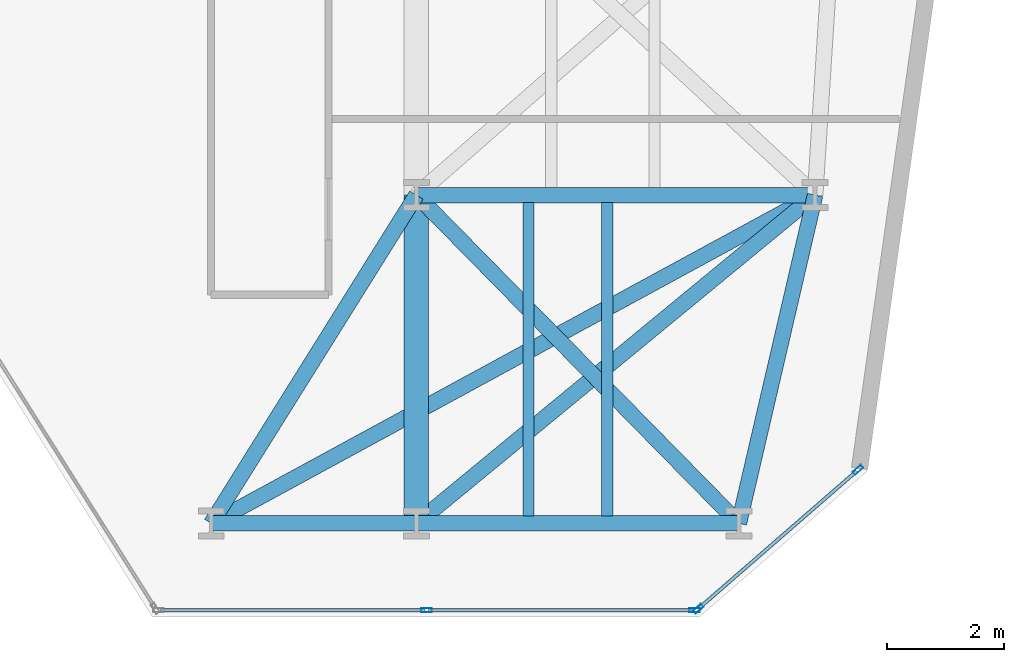
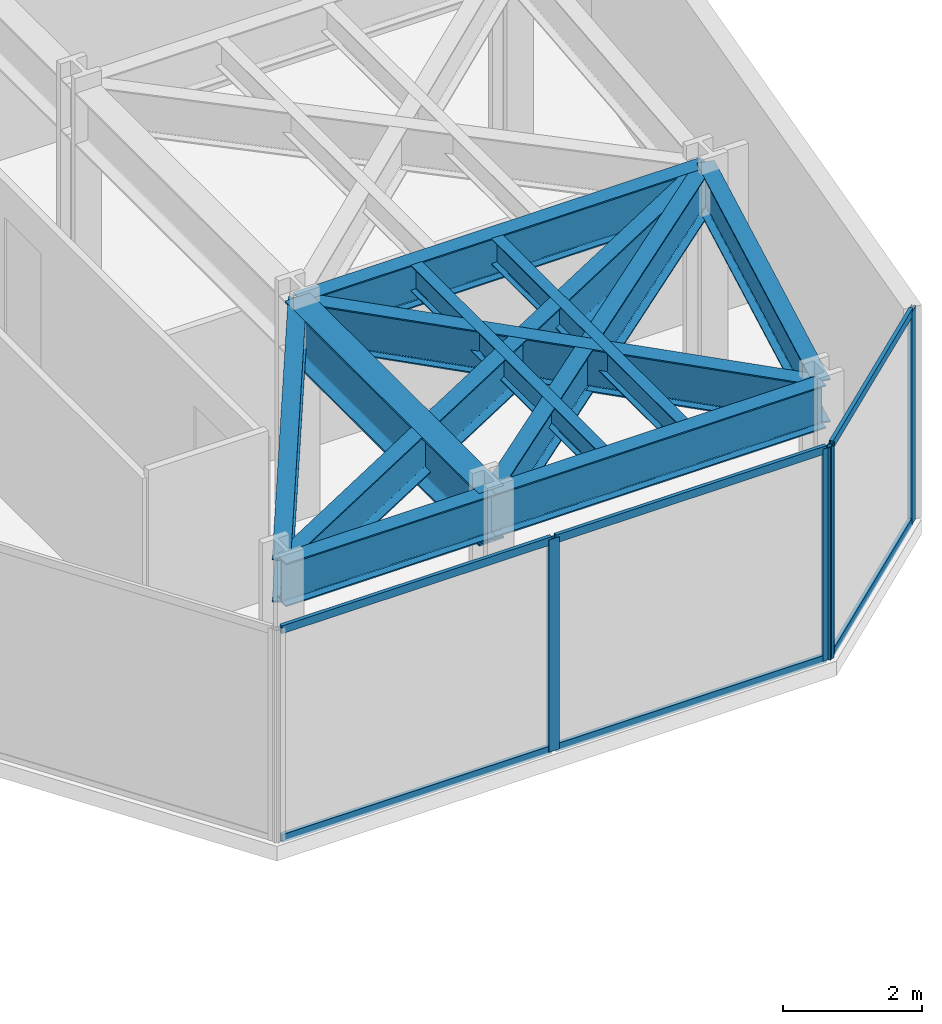
# One storey, part 13 of 24: 11 beams, 10 members, 2 elements without a shape of their own.
"""IFC4 building model written with IfcOpenShell, lengths in metres."""

import ifcopenshell
import ifcopenshell.guid

model = None  # the IFC model being written
_history = None  # IfcOwnerHistory: only IFC2X3 demands one
_inside = {}  # id of a spatial element -> (the spatial element, [elements in it])
_under = {}  # id of a project, library or spatial element -> (it, [spatial elements below it])
_declared = {}  # id of a project -> (the project, [libraries it declares])
_typed = {}  # id of a type object -> (the type object, [elements of that type])
_made_of = {}  # id of a material, layer set ... -> (it, [elements and type objects made of it])


def new_model(schema):
    """Start an empty IFC model of exactly this schema.

    Asked for "IFC4X3", IfcOpenShell would pick the latest addendum, in which some entities
    have other attributes; the version numbers below select the first issue.
    IFC2X3 requires an IfcOwnerHistory on every rooted entity: one is made here for all.
    """
    global model, _history
    if schema == "IFC4X3":
        model = ifcopenshell.file(schema_version=(4, 3, 0, 0))
    else:
        model = ifcopenshell.file(schema=schema)
    _inside.clear()
    _under.clear()
    _declared.clear()
    _typed.clear()
    _made_of.clear()
    _history = None
    if model.schema == "IFC2X3":
        org = make("IfcOrganization", Name="unknown")
        user = make(
            "IfcPersonAndOrganization",
            ThePerson=make("IfcPerson", FamilyName="unknown"),
            TheOrganization=org,
        )
        app = make(
            "IfcApplication",
            ApplicationDeveloper=org,
            Version="unknown",
            ApplicationFullName="unknown",
            ApplicationIdentifier="unknown",
        )
        _history = make(
            "IfcOwnerHistory",
            OwningUser=user,
            OwningApplication=app,
            ChangeAction="ADDED",
            CreationDate=0,
        )
    return model


def make(cls, **values):
    """One entity of the class cls with the attributes given. An attribute that is None is left unset."""
    return model.create_entity(
        cls, **{name: value for name, value in values.items() if value is not None}
    )


def rooted(cls, **values):
    """An entity with a GlobalId (a new one), such as an element, a storey or a relation."""
    return make(cls, GlobalId=ifcopenshell.guid.new(), OwnerHistory=_history, **values)


def si_unit(unit_type, name, prefix=None):
    """IfcSIUnit, for example si_unit("LENGTHUNIT", "METRE", prefix="MILLI")."""
    return make("IfcSIUnit", UnitType=unit_type, Prefix=prefix, Name=name)


def assignment(units):
    """IfcUnitAssignment: the units of a project."""
    return None if units is None else make("IfcUnitAssignment", Units=units)


def point(xyz):
    """IfcCartesianPoint."""
    return None if xyz is None else make("IfcCartesianPoint", Coordinates=xyz)


def direction(xyz):
    """IfcDirection."""
    return None if xyz is None else make("IfcDirection", DirectionRatios=xyz)


def frame(location, z_axis=None, x_axis=None):
    """IfcAxis2Placement3D, a coordinate frame: its origin and axes. An axis left out is left unset."""
    return make(
        "IfcAxis2Placement3D",
        Location=point(location),
        Axis=direction(z_axis),
        RefDirection=direction(x_axis),
    )


def frame_2d(location, x_axis=None):
    """IfcAxis2Placement2D, a coordinate frame in the plane: its origin and x axis."""
    return make(
        "IfcAxis2Placement2D", Location=point(location), RefDirection=direction(x_axis)
    )


def origin():
    """The frame at (0, 0, 0) with its axes left unset."""
    return frame((0.0, 0.0, 0.0))


def origin_2d():
    """The frame at (0, 0) in the plane with its x axis left unset."""
    return frame_2d((0.0, 0.0))


def place(relative_to, where):
    """IfcLocalPlacement: puts the frame where relative to a parent placement (None: the world)."""
    return make(
        "IfcLocalPlacement", PlacementRelTo=relative_to, RelativePlacement=where
    )


def context(
    kind, dimensions, precision=None, world=None, true_north=None, identifier=None
):
    """IfcGeometricRepresentationContext, for example the 3D "Model" context."""
    return make(
        "IfcGeometricRepresentationContext",
        ContextIdentifier=identifier,
        ContextType=kind,
        CoordinateSpaceDimension=dimensions,
        Precision=precision,
        WorldCoordinateSystem=world,
        TrueNorth=true_north,
    )


def subcontext(parent, identifier, kind, view, scale=None):
    """IfcGeometricRepresentationSubContext, for example "Body" below "Model"."""
    return make(
        "IfcGeometricRepresentationSubContext",
        ContextIdentifier=identifier,
        ContextType=kind,
        ParentContext=parent,
        TargetScale=scale,
        TargetView=view,
    )


def project(units=None, contexts=None):
    """IfcProject with its units and contexts."""
    return rooted(
        "IfcProject",
        Name="project",
        RepresentationContexts=contexts,
        UnitsInContext=assignment(units),
    )


def spatial(cls, under=None, at=None, **own):
    """A site, building, storey or space (cls), placed at a placement, below another one or the project."""
    s = rooted(cls, ObjectPlacement=at, **own)
    if under is not None:
        _under.setdefault(under.id(), (under, []))[1].append(s)
    return s


def profile(cls, at=None, kind="AREA", **sizes):
    """A parametric profile (cls). Its sizes go by their IFC names, for example OverallWidth=200.0."""
    return make(cls, ProfileType=kind, Position=at, **sizes)


def hollow_rectangle(**sizes):
    """IfcRectangleHollowProfileDef."""
    return profile("IfcRectangleHollowProfileDef", **sizes)


def i_section(**sizes):
    """IfcIShapeProfileDef."""
    return profile("IfcIShapeProfileDef", **sizes)


def extrude(swept, where, along, depth):
    """IfcExtrudedAreaSolid: the profile swept, set in the frame where, extruded along a direction by depth."""
    return make(
        "IfcExtrudedAreaSolid",
        SweptArea=swept,
        Position=where,
        ExtrudedDirection=direction(along),
        Depth=depth,
    )


def shape(context_of_items, identifier, shape_type, items):
    """IfcShapeRepresentation: the items that make up one representation, for example the "Body"."""
    return make(
        "IfcShapeRepresentation",
        ContextOfItems=context_of_items,
        RepresentationIdentifier=identifier,
        RepresentationType=shape_type,
        Items=items,
    )


def material(Name=None, Category=None):
    """IfcMaterial."""
    return make("IfcMaterial", Name=Name, Category=Category)


def layer(
    of_material, thickness, ventilated=None, Name=None, Category=None, Priority=None
):
    """IfcMaterialLayer: one layer of a wall or slab, of a material (None: an air gap)."""
    return make(
        "IfcMaterialLayer",
        Material=of_material,
        LayerThickness=thickness,
        IsVentilated=ventilated,
        Name=Name,
        Category=Category,
        Priority=Priority,
    )


def layer_set(layers, Name=None):
    """IfcMaterialLayerSet."""
    return make("IfcMaterialLayerSet", MaterialLayers=layers, LayerSetName=Name)


def material_profile(
    of_material, cross_section, Name=None, Category=None, Priority=None
):
    """IfcMaterialProfile: a cross section and its material."""
    return make(
        "IfcMaterialProfile",
        Name=Name,
        Material=of_material,
        Profile=cross_section,
        Priority=Priority,
        Category=Category,
    )


def profile_set(profiles, Name=None, composite=None):
    """IfcMaterialProfileSet."""
    return make(
        "IfcMaterialProfileSet",
        Name=Name,
        MaterialProfiles=profiles,
        CompositeProfile=composite,
    )


def made_of(thing, what):
    """Note that an element or type object is made of a material, layer set ...; save() writes the relation."""
    if what is not None:
        _made_of.setdefault(what.id(), (what, []))[1].append(thing)
    return thing


def type_object(cls, material=None, **own):
    """A type object (cls), such as IfcWallType, which elements share."""
    return made_of(rooted(cls, **own), material)


def element(
    cls,
    number,
    at=None,
    inside=None,
    cuts=None,
    type_object=None,
    material=None,
    context=None,
    identifier="Body",
    shape_type=None,
    held_by="IfcProductDefinitionShape",
    body=None,
    shapes=None,
    **own,
):
    """One element of the class cls, such as IfcWall. Its Tag is "e" and its number.

    at: its placement. inside: the storey or other place that contains it. cuts: it is an
    opening in that element (IfcRelVoidsElement). A single representation is given by context,
    identifier, shape_type and body (its items); several are given by shapes. held_by: the class
    of the entity that holds the representations. save() writes the other relations.
    """
    e = rooted(cls, Tag="e%d" % number, ObjectPlacement=at, **own)
    if body is not None:
        shapes = [shape(context, identifier, shape_type, body)]
    if shapes is not None:
        e.Representation = make(held_by, Representations=shapes)
    if inside is not None:
        _inside.setdefault(inside.id(), (inside, []))[1].append(e)
    if cuts is not None:
        rooted(
            "IfcRelVoidsElement", RelatingBuildingElement=cuts, RelatedOpeningElement=e
        )
    if type_object is not None:
        _typed.setdefault(type_object.id(), (type_object, []))[1].append(e)
    return made_of(e, material)


def aggregate(whole, parts):
    """IfcRelAggregates: a whole, such as a stair, and the parts it consists of."""
    return rooted("IfcRelAggregates", RelatingObject=whole, RelatedObjects=parts)


def save(model, path):
    """Write the relations noted so far, then the file.

    IfcRelAggregates (storeys below a building ...), IfcRelContainedInSpatialStructure (elements
    in a storey), IfcRelDefinesByType, IfcRelAssociatesMaterial and IfcRelDeclares: one each for
    every whole, place, type object, material and project.
    """
    for whole, parts in _under.values():
        aggregate(whole, parts)
    for where, things in _inside.values():
        rooted(
            "IfcRelContainedInSpatialStructure",
            RelatedElements=things,
            RelatingStructure=where,
        )
    for kind, things in _typed.values():
        rooted("IfcRelDefinesByType", RelatedObjects=things, RelatingType=kind)
    for what, things in _made_of.values():
        rooted("IfcRelAssociatesMaterial", RelatedObjects=things, RelatingMaterial=what)
    for by, libraries in _declared.values():
        rooted("IfcRelDeclares", RelatingContext=by, RelatedDefinitions=libraries)
    model.write(path)


model = new_model("IFC4")

# Units and contexts
model_context = context("Model", 3, precision=1e-05, world=origin(), true_north=direction((0.0, 1.0)))
body_context = subcontext(model_context, "Body", "Model", "MODEL_VIEW")
ifc_project = project(units=[si_unit("LENGTHUNIT", "METRE"), si_unit("AREAUNIT", "SQUARE_METRE"), si_unit("VOLUMEUNIT", "CUBIC_METRE"), si_unit("PLANEANGLEUNIT", "RADIAN"), si_unit("MASSUNIT", "GRAM", prefix="KILO")], contexts=[model_context])

# Site, building, storey
site_placement = place(None, origin())
site = spatial("IfcSite", under=ifc_project, at=site_placement, CompositionType="ELEMENT")
building_placement = place(site_placement, origin())
building = spatial("IfcBuilding", under=site, at=building_placement, Name="Kravanh Interchange Tower", CompositionType="ELEMENT")
storey_placement = place(building_placement, frame((0.0, 0.0, 53.5)))
storey = spatial("IfcBuildingStorey", under=building, at=storey_placement, Name="L12", CompositionType="ELEMENT", Elevation=53.5)

# Curtain wall, members
ifc_material_1 = material(Name="Anodised Bronze Aluminium", Category="aluminium")
ifc_layer = layer(ifc_material_1, 0.179931640625)
ifc_layer_set = layer_set([ifc_layer], Name="Unitised Curtain Wall System CW-Z1 Lower Office")
curtain_wall_type = type_object("IfcCurtainWallType", Name="Unitised Curtain Wall System CW-Z1 Lower Office", PredefinedType="NOTDEFINED", material=ifc_layer_set)
curtain_wall_1_placement = place(storey_placement, origin())
curtain_wall_1 = element("IfcCurtainWall", 1, at=curtain_wall_1_placement, inside=storey, type_object=curtain_wall_type, Name="L12 Unitised Curtain Wall CW-L12-02", PredefinedType="NOTDEFINED")
ifc_material_2 = material(Name="Anodised Bronze Aluminium", Category="aluminium")
ifc_material_profile_1 = material_profile(ifc_material_2, hollow_rectangle(XDim=0.070068359375, YDim=0.179931640625, WallThickness=0.00390625, at=origin_2d()), Name="ALU70X180X4")
ifc_profile_set_1 = profile_set([ifc_material_profile_1], Name="Anodised Bronze Aluminium")
member_type_1 = type_object("IfcMemberType", Name="Curtain Wall Mullion ALU70X180X4 Bronze", PredefinedType="MULLION", material=ifc_profile_set_1)
member_1_placement = place(storey_placement, frame((63.533203125, 3.513916015625, 0.0), z_axis=(0.0, 0.0, 1.0), x_axis=(0.656060422341, -0.754708368999, 0.0)))
member_1 = element("IfcMember", 2, at=member_1_placement, type_object=member_type_1, Name="CW-Z1 mullion 1", PredefinedType="MULLION", context=body_context, shape_type="SweptSolid", body=[
    extrude(hollow_rectangle(XDim=0.070068359375, YDim=0.179931640625, WallThickness=0.00390625, at=origin_2d()), origin(), (0.0, 0.0, 1.0), 3.739990234375),
])
member_2_placement = place(storey_placement, frame((60.805908203125, 1.14306640625, 0.0), z_axis=(0.0, 0.0, 1.0), x_axis=(0.656060422341, -0.754708368999, 0.0)))
member_2 = element("IfcMember", 3, at=member_2_placement, type_object=member_type_1, Name="CW-Z1 mullion 2", PredefinedType="MULLION", context=body_context, shape_type="SweptSolid", body=[
    extrude(hollow_rectangle(XDim=0.070068359375, YDim=0.179931640625, WallThickness=0.00390625, at=origin_2d()), origin(), (0.0, 0.0, 1.0), 3.739990234375),
])

curtain_wall_2_placement = place(storey_placement, origin())
curtain_wall_2 = element("IfcCurtainWall", 4, at=curtain_wall_2_placement, inside=storey, type_object=curtain_wall_type, Name="L12 Unitised Curtain Wall CW-L12-03", PredefinedType="NOTDEFINED")
member_3_placement = place(storey_placement, frame((60.744384765625, 1.1201171875, 0.0), z_axis=(0.0, 0.0, 1.0), x_axis=(0.0, -1.0, 0.0)))
member_3 = element("IfcMember", 5, at=member_3_placement, type_object=member_type_1, Name="CW-Z1 mullion 1", PredefinedType="MULLION", context=body_context, shape_type="SweptSolid", body=[
    extrude(hollow_rectangle(XDim=0.070068359375, YDim=0.179931640625, WallThickness=0.00390625, at=origin_2d()), origin(), (0.0, 0.0, 1.0), 3.739990234375),
])
member_4_placement = place(storey_placement, frame((56.1728515625, 1.1201171875, 0.0), z_axis=(0.0, 0.0, 1.0), x_axis=(0.0, -1.0, 0.0)))
member_4 = element("IfcMember", 6, at=member_4_placement, type_object=member_type_1, Name="CW-Z1 mullion 2", PredefinedType="MULLION", context=body_context, shape_type="SweptSolid", body=[
    extrude(hollow_rectangle(XDim=0.070068359375, YDim=0.179931640625, WallThickness=0.00390625, at=origin_2d()), origin(), (0.0, 0.0, 1.0), 3.739990234375),
])

# Member
ifc_material_3 = material(Name="Anodised Bronze Aluminium", Category="aluminium")
ifc_material_profile_2 = material_profile(ifc_material_3, hollow_rectangle(XDim=0.06005859375, YDim=0.139892578125, WallThickness=0.00390625, at=origin_2d()), Name="ALU60X140X4")
ifc_profile_set_2 = profile_set([ifc_material_profile_2], Name="Anodised Bronze Aluminium")
member_type_2 = type_object("IfcMemberType", Name="Curtain Wall Transom ALU60X140X4 Bronze", PredefinedType="USERDEFINED", material=ifc_profile_set_2)
member_5_placement = place(storey_placement, frame((63.5068359375, 3.490966796875, 0.030029296875), z_axis=(-0.754710815466, -0.656057608004, 0.0), x_axis=(0.656057608004, -0.754710815466, 0.0)))
member_5 = element("IfcMember", 7, at=member_5_placement, type_object=member_type_2, Name="CW-Z1 transom 1.1", ObjectType="TRANSOM", PredefinedType="USERDEFINED", context=body_context, shape_type="SweptSolid", body=[
    extrude(hollow_rectangle(XDim=0.06005859375, YDim=0.139892578125, WallThickness=0.00390625, at=origin_2d()), origin(), (0.0, 0.0, 1.0), 3.543701171875),
])

member_6_placement = place(storey_placement, frame((63.5068359375, 3.490966796875, 3.7099609375), z_axis=(-0.754710815466, -0.656057608004, 0.0), x_axis=(0.656057608004, -0.754710815466, 0.0)))
member_6 = element("IfcMember", 8, at=member_6_placement, type_object=member_type_2, Name="CW-Z1 transom 1.2", ObjectType="TRANSOM", PredefinedType="USERDEFINED", context=body_context, shape_type="SweptSolid", body=[
    extrude(hollow_rectangle(XDim=0.06005859375, YDim=0.139892578125, WallThickness=0.00390625, at=origin_2d()), origin(), (0.0, 0.0, 1.0), 3.543701171875),
])

aggregate(curtain_wall_1, [member_1, member_2, member_5, member_6])

member_7_placement = place(storey_placement, frame((60.70947265625, 1.1201171875, 0.030029296875), z_axis=(-1.0, 0.0, 0.0), x_axis=(0.0, -1.0, 0.0)))
member_7 = element("IfcMember", 9, at=member_7_placement, type_object=member_type_2, Name="CW-Z1 transom 1.1", ObjectType="TRANSOM", PredefinedType="USERDEFINED", context=body_context, shape_type="SweptSolid", body=[
    extrude(hollow_rectangle(XDim=0.06005859375, YDim=0.139892578125, WallThickness=0.00390625, at=origin_2d()), origin(), (0.0, 0.0, 1.0), 4.501708984375),
])

member_8_placement = place(storey_placement, frame((60.70947265625, 1.1201171875, 3.7099609375), z_axis=(-1.0, 0.0, 0.0), x_axis=(0.0, -1.0, 0.0)))
member_8 = element("IfcMember", 10, at=member_8_placement, type_object=member_type_2, Name="CW-Z1 transom 1.2", ObjectType="TRANSOM", PredefinedType="USERDEFINED", context=body_context, shape_type="SweptSolid", body=[
    extrude(hollow_rectangle(XDim=0.06005859375, YDim=0.139892578125, WallThickness=0.00390625, at=origin_2d()), origin(), (0.0, 0.0, 1.0), 4.501708984375),
])

member_9_placement = place(storey_placement, frame((56.1376953125, 1.1201171875, 0.030029296875), z_axis=(-1.0, 0.0, 0.0), x_axis=(0.0, -1.0, 0.0)))
member_9 = element("IfcMember", 11, at=member_9_placement, type_object=member_type_2, Name="CW-Z1 transom 2.1", ObjectType="TRANSOM", PredefinedType="USERDEFINED", context=body_context, shape_type="SweptSolid", body=[
    extrude(hollow_rectangle(XDim=0.06005859375, YDim=0.139892578125, WallThickness=0.00390625, at=origin_2d()), origin(), (0.0, 0.0, 1.0), 4.50146484375),
])

member_10_placement = place(storey_placement, frame((56.1376953125, 1.1201171875, 3.7099609375), z_axis=(-1.0, 0.0, 0.0), x_axis=(0.0, -1.0, 0.0)))
member_10 = element("IfcMember", 12, at=member_10_placement, type_object=member_type_2, Name="CW-Z1 transom 2.2", ObjectType="TRANSOM", PredefinedType="USERDEFINED", context=body_context, shape_type="SweptSolid", body=[
    extrude(hollow_rectangle(XDim=0.06005859375, YDim=0.139892578125, WallThickness=0.00390625, at=origin_2d()), origin(), (0.0, 0.0, 1.0), 4.50146484375),
])

aggregate(curtain_wall_2, [member_3, member_4, member_7, member_8, member_9, member_10])

# Beams
ifc_material_4 = material(Name="Structural Steel S355", Category="steel")
ifc_material_profile_3 = material_profile(ifc_material_4, i_section(OverallWidth=0.41796875, OverallDepth=0.927001953125, WebThickness=0.019287109375, FlangeThickness=0.031982421875, FilletRadius=0.028076171875, at=origin_2d()), Name="W36X231")
ifc_profile_set_3 = profile_set([ifc_material_profile_3], Name="Structural Steel S355")
beam_type_1 = type_object("IfcBeamType", Name="Floor Beam W36X231 Structural Steel S355", PredefinedType="BEAM", material=ifc_profile_set_3)
beam_1_placement = place(storey_placement, frame((56.0, 2.60009765625, 3.276611328125), z_axis=(0.0, 1.0, 0.0), x_axis=(-1.0, 0.0, 0.0)))
element("IfcBeam", 13, at=beam_1_placement, inside=storey, type_object=beam_type_1, Name="L12 Primary Floor Girder 129", PredefinedType="BEAM", context=body_context, shape_type="SweptSolid", body=[
    extrude(i_section(OverallWidth=0.41796875, OverallDepth=0.927001953125, WebThickness=0.019287109375, FlangeThickness=0.031982421875, FilletRadius=0.028076171875, at=origin_2d()), origin(), (0.0, 0.0, 1.0), 5.599853515625),
])
ifc_material_5 = material(Name="Structural Steel S355", Category="steel")
ifc_material_profile_4 = material_profile(ifc_material_5, i_section(OverallWidth=0.18994140625, OverallDepth=0.45703125, WebThickness=0.009033203125, FlangeThickness=0.014404296875, FilletRadius=0.01806640625, at=origin_2d()), Name="W18X50")
ifc_profile_set_4 = profile_set([ifc_material_profile_4], Name="Structural Steel S355")
beam_type_2 = type_object("IfcBeamType", Name="Floor Joist W18X50 Structural Steel S355", PredefinedType="JOIST", material=ifc_profile_set_4)
for number, where, z_axis, x_axis, name in (
    (14, (57.909912109375, 2.728515625, 3.511474609375), (0.0, 1.0, 0.0), (-1.0, 0.0, 0.0), "L12 Secondary Floor Joist 5"),
    (15, (59.25390625, 2.728515625, 3.511474609375), (0.0, 1.0, 0.0), (-1.0, 0.0, 0.0), "L12 Secondary Floor Joist 6"),
):
    element("IfcBeam", number, at=place(storey_placement, frame(where, z_axis=z_axis, x_axis=x_axis)), inside=storey, type_object=beam_type_2, Name=name, PredefinedType="JOIST", context=body_context, shape_type="SweptSolid", body=[
        extrude(i_section(OverallWidth=0.18994140625, OverallDepth=0.45703125, WebThickness=0.009033203125, FlangeThickness=0.014404296875, FilletRadius=0.01806640625, at=origin_2d()), origin(), (0.0, 0.0, 1.0), 5.343017578125),
    ])
ifc_material_6 = material(Name="Structural Steel S355", Category="steel")
ifc_material_profile_5 = material_profile(ifc_material_6, i_section(OverallWidth=0.26708984375, OverallDepth=0.761962890625, WebThickness=0.014404296875, FlangeThickness=0.021484375, FilletRadius=0.02490234375, at=origin_2d()), Name="W30X116")
ifc_profile_set_5 = profile_set([ifc_material_profile_5], Name="Structural Steel S355")
beam_type_3 = type_object("IfcBeamType", Name="Floor Spandrel W30X116 Structural Steel S355", PredefinedType="SPANDREL", material=ifc_profile_set_5)
beam_2_placement = place(storey_placement, frame((52.5, 2.60009765625, 3.35888671875), z_axis=(1.0, 0.0, 0.0), x_axis=(0.0, 1.0, 0.0)))
element("IfcBeam", 16, at=beam_2_placement, inside=storey, type_object=beam_type_3, Name="L12 Perimeter Spandrel 125", PredefinedType="SPANDREL", context=body_context, shape_type="SweptSolid", body=[
    extrude(i_section(OverallWidth=0.26708984375, OverallDepth=0.761962890625, WebThickness=0.014404296875, FlangeThickness=0.021484375, FilletRadius=0.02490234375, at=origin_2d()), origin(), (0.0, 0.0, 1.0), 3.5),
])
beam_3_placement = place(storey_placement, frame((52.5, 2.60009765625, 3.35888671875), z_axis=(0.530008909536, 0.847992072965, 0.0), x_axis=(-0.847992072965, 0.530008909536, 0.0)))
element("IfcBeam", 17, at=beam_3_placement, inside=storey, type_object=beam_type_3, Name="L12 Perimeter Spandrel 126", PredefinedType="SPANDREL", context=body_context, shape_type="SweptSolid", body=[
    extrude(i_section(OverallWidth=0.26708984375, OverallDepth=0.761962890625, WebThickness=0.014404296875, FlangeThickness=0.021484375, FilletRadius=0.02490234375, at=origin_2d()), origin(), (0.0, 0.0, 1.0), 6.603759765625),
])
beam_4_placement = place(storey_placement, frame((52.5, 2.60009765625, 3.35888671875), z_axis=(0.878552895081, 0.47764506754, 0.0), x_axis=(-0.47764506754, 0.878552895081, 0.0)))
element("IfcBeam", 18, at=beam_4_placement, inside=storey, type_object=beam_type_3, Name="L12 Perimeter Spandrel 127", PredefinedType="SPANDREL", context=body_context, shape_type="SweptSolid", body=[
    extrude(i_section(OverallWidth=0.26708984375, OverallDepth=0.761962890625, WebThickness=0.014404296875, FlangeThickness=0.021484375, FilletRadius=0.02490234375, at=origin_2d()), origin(), (0.0, 0.0, 1.0), 11.723876953125),
])
beam_5_placement = place(storey_placement, frame((56.0, 2.60009765625, 3.35888671875), z_axis=(1.0, 0.0, 0.0), x_axis=(0.0, 1.0, 0.0)))
element("IfcBeam", 19, at=beam_5_placement, inside=storey, type_object=beam_type_3, Name="L12 Perimeter Spandrel 128", PredefinedType="SPANDREL", context=body_context, shape_type="SweptSolid", body=[
    extrude(i_section(OverallWidth=0.26708984375, OverallDepth=0.761962890625, WebThickness=0.014404296875, FlangeThickness=0.021484375, FilletRadius=0.02490234375, at=origin_2d()), origin(), (0.0, 0.0, 1.0), 5.5),
])
beam_6_placement = place(storey_placement, frame((56.0, 2.60009765625, 3.35888671875), z_axis=(0.771940635711, 0.635694623965, 0.0), x_axis=(-0.635694623965, 0.771940635711, 0.0)))
element("IfcBeam", 20, at=beam_6_placement, inside=storey, type_object=beam_type_3, Name="L12 Perimeter Spandrel 130", PredefinedType="SPANDREL", context=body_context, shape_type="SweptSolid", body=[
    extrude(i_section(OverallWidth=0.26708984375, OverallDepth=0.761962890625, WebThickness=0.014404296875, FlangeThickness=0.021484375, FilletRadius=0.02490234375, at=origin_2d()), origin(), (0.0, 0.0, 1.0), 8.80908203125),
])
beam_7_placement = place(storey_placement, frame((61.5, 2.60009765625, 3.35888671875), z_axis=(0.226143379252, 0.974094026273, 0.0), x_axis=(-0.974094026273, 0.226143379252, 0.0)))
element("IfcBeam", 21, at=beam_7_placement, inside=storey, type_object=beam_type_3, Name="L12 Perimeter Spandrel 131", PredefinedType="SPANDREL", context=body_context, shape_type="SweptSolid", body=[
    extrude(i_section(OverallWidth=0.26708984375, OverallDepth=0.761962890625, WebThickness=0.014404296875, FlangeThickness=0.021484375, FilletRadius=0.02490234375, at=origin_2d()), origin(), (0.0, 0.0, 1.0), 5.748779296875),
])
beam_8_placement = place(storey_placement, frame((61.5, 2.60009765625, 3.35888671875), z_axis=(-0.700717344595, 0.71343899738, 0.0), x_axis=(-0.71343899738, -0.700717344595, 0.0)))
element("IfcBeam", 22, at=beam_8_placement, inside=storey, type_object=beam_type_3, Name="L12 Perimeter Spandrel 132", PredefinedType="SPANDREL", context=body_context, shape_type="SweptSolid", body=[
    extrude(i_section(OverallWidth=0.26708984375, OverallDepth=0.761962890625, WebThickness=0.014404296875, FlangeThickness=0.021484375, FilletRadius=0.02490234375, at=origin_2d()), origin(), (0.0, 0.0, 1.0), 7.84912109375),
])
beam_9_placement = place(storey_placement, frame((56.0, 8.199951171875, 3.35888671875), z_axis=(1.0, 0.0, 0.0), x_axis=(0.0, 1.0, 0.0)))
element("IfcBeam", 23, at=beam_9_placement, inside=storey, type_object=beam_type_3, Name="L12 Perimeter Spandrel 142", PredefinedType="SPANDREL", context=body_context, shape_type="SweptSolid", body=[
    extrude(i_section(OverallWidth=0.26708984375, OverallDepth=0.761962890625, WebThickness=0.014404296875, FlangeThickness=0.021484375, FilletRadius=0.02490234375, at=origin_2d()), origin(), (0.0, 0.0, 1.0), 6.800048828125),
])

save(model, "model.ifc")
